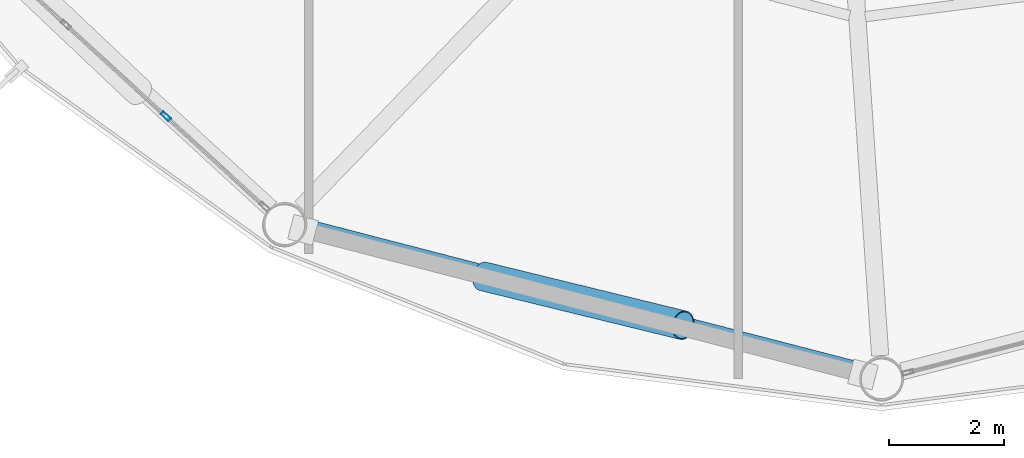
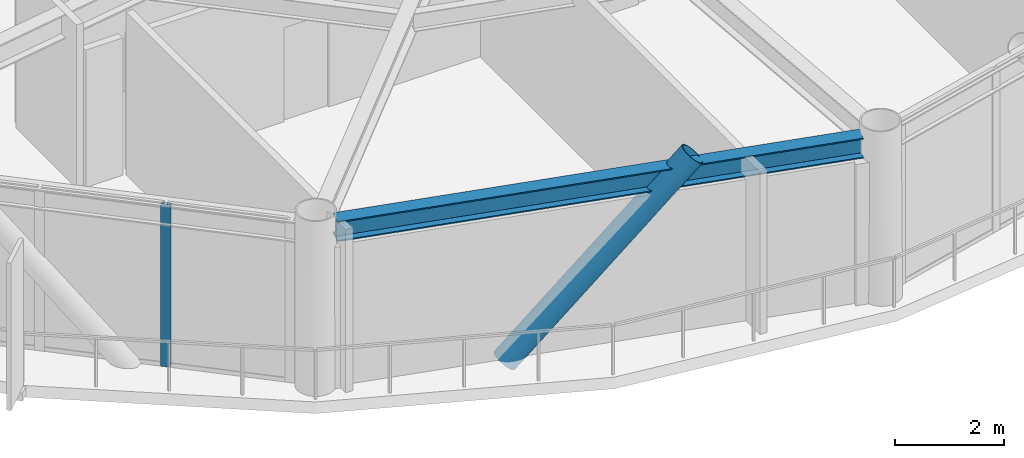
# One storey, part 3 of 26: 2 members, 1 beam, 1 element without a shape of its own.
"""IFC4 building model written with IfcOpenShell, lengths in metres."""

from ifc_helpers import new_model, si_unit, direction, frame, origin, origin_2d, place, context, subcontext, project, spatial, hollow_rectangle, hollow_circle, i_section, extrude, material, layer, layer_set, material_profile, profile_set, type_object, element, aggregate, save


model = new_model("IFC4")

# Units and contexts
model_context = context("Model", 3, precision=1e-05, world=origin(), true_north=direction((0.0, 1.0)))
body_context = subcontext(model_context, "Body", "Model", "MODEL_VIEW")
ifc_project = project(units=[si_unit("LENGTHUNIT", "METRE"), si_unit("AREAUNIT", "SQUARE_METRE"), si_unit("VOLUMEUNIT", "CUBIC_METRE"), si_unit("PLANEANGLEUNIT", "RADIAN"), si_unit("MASSUNIT", "GRAM", prefix="KILO")], contexts=[model_context])

# Site, building, storey
site_placement = place(None, origin())
site = spatial("IfcSite", under=ifc_project, at=site_placement, CompositionType="ELEMENT")
building_placement = place(site_placement, origin())
building = spatial("IfcBuilding", under=site, at=building_placement, Name="Varnakorn Sky Granary", CompositionType="ELEMENT")
storey_placement = place(building_placement, frame((0.0, 0.0, 138.300048828125)))
storey = spatial("IfcBuildingStorey", under=building, at=storey_placement, Name="L34", CompositionType="ELEMENT", Elevation=138.300048828125)

# Beam
ifc_material_1 = material(Name="Steel S355JR", Category="steel")
ifc_material_profile_1 = material_profile(ifc_material_1, i_section(OverallWidth=0.300048828125, OverallDepth=0.449951171875, WebThickness=0.013916015625, FlangeThickness=0.02587890625, at=origin_2d()), Name="HE 450 B")
ifc_profile_set_1 = profile_set([ifc_material_profile_1], Name="Steel S355JR")
beam_type = type_object("IfcBeamType", Name="BM-SPD-Z3", PredefinedType="SPANDREL", material=ifc_profile_set_1)
beam_placement = place(storey_placement, frame((-11.53662109375, -16.587646484375, 3.4150390625), z_axis=(0.968156603597, -0.250345343299, 0.0), x_axis=(0.250345343299, 0.968156603597, 0.0)))
element("IfcBeam", 1, at=beam_placement, inside=storey, type_object=beam_type, Name="Perimeter Spandrel Ring Beam RB09 L34", PredefinedType="SPANDREL", context=body_context, shape_type="SweptSolid", body=[
    extrude(i_section(OverallWidth=0.300048828125, OverallDepth=0.449951171875, WebThickness=0.013916015625, FlangeThickness=0.02587890625, at=origin_2d()), origin(), (0.0, 0.0, 1.0), 10.000732421875),
])

# Curtain wall, member
ifc_material_2 = material(Name="Anodised Bronze Aluminium Alloy 6063-T6", Category="aluminium")
ifc_layer = layer(ifc_material_2, 0.179931640625, Name="Anodised Bronze Aluminium Alloy 6063-T6")
ifc_layer_set = layer_set([ifc_layer], Name="Anodised Bronze Aluminium Alloy 6063-T6")
curtain_wall_type = type_object("IfcCurtainWallType", Name="CW-FRM-2", PredefinedType="USERDEFINED", material=ifc_layer_set)
curtain_wall_placement = place(storey_placement, origin())
curtain_wall = element("IfcCurtainWall", 2, at=curtain_wall_placement, inside=storey, type_object=curtain_wall_type, Name="Unitised Curtain Wall CW4 CW-L34-B08", ObjectType="CURTAIN WALL", PredefinedType="USERDEFINED")
ifc_material_profile_2 = material_profile(ifc_material_2, hollow_rectangle(XDim=0.070068359375, YDim=0.18505859375, WallThickness=0.00390625, at=origin_2d()), Name="ALU MULL 70x185")
ifc_profile_set_2 = profile_set([ifc_material_profile_2], Name="Anodised Bronze Aluminium Alloy 6063-T6")
member_type_1 = type_object("IfcMemberType", Name="CW-FRM-2-MULL", PredefinedType="MULLION", material=ifc_profile_set_2)
member_1_placement = place(storey_placement, frame((-13.994384765625, -14.641357421875, 0.0), z_axis=(0.0, 0.0, 1.0), x_axis=(-0.675438035219, -0.737416748236, 0.0)))
member_1 = element("IfcMember", 3, at=member_1_placement, type_object=member_type_1, Name="CW4 mullion 2", PredefinedType="MULLION", context=body_context, shape_type="SweptSolid", body=[
    extrude(hollow_rectangle(XDim=0.070068359375, YDim=0.18505859375, WallThickness=0.00390625, at=origin_2d()), origin(), (0.0, 0.0, 1.0), 3.639892578125),
])
aggregate(curtain_wall, [member_1])

# Member
ifc_material_3 = material(Name="Steel S460M", Category="steel")
ifc_material_profile_3 = material_profile(ifc_material_3, hollow_circle(Radius=0.25390625, WallThickness=0.01806640625, at=origin_2d()), Name="CHS 508x18")
ifc_profile_set_3 = profile_set([ifc_material_profile_3], Name="Steel S460M")
member_type_2 = type_object("IfcMemberType", Name="MB-DIAG-T2", PredefinedType="BRACE", material=ifc_profile_set_3)
member_2_placement = place(storey_placement, frame((-8.44921875, -17.435302734375, -0.130126953125), z_axis=(0.65587497999, -0.160328057727, 0.737646883358), x_axis=(0.237457370677, 0.971397960216, 0.0)))
element("IfcMember", 4, at=member_2_placement, inside=storey, type_object=member_type_2, Name="Perimeter CHS Diagrid Brace DG09 L34", PredefinedType="BRACE", context=body_context, shape_type="SweptSolid", body=[
    extrude(hollow_circle(Radius=0.25390625, WallThickness=0.01806640625, at=origin_2d()), origin(), (0.0, 0.0, 1.0), 5.314453125),
])

save(model, "model.ifc")
